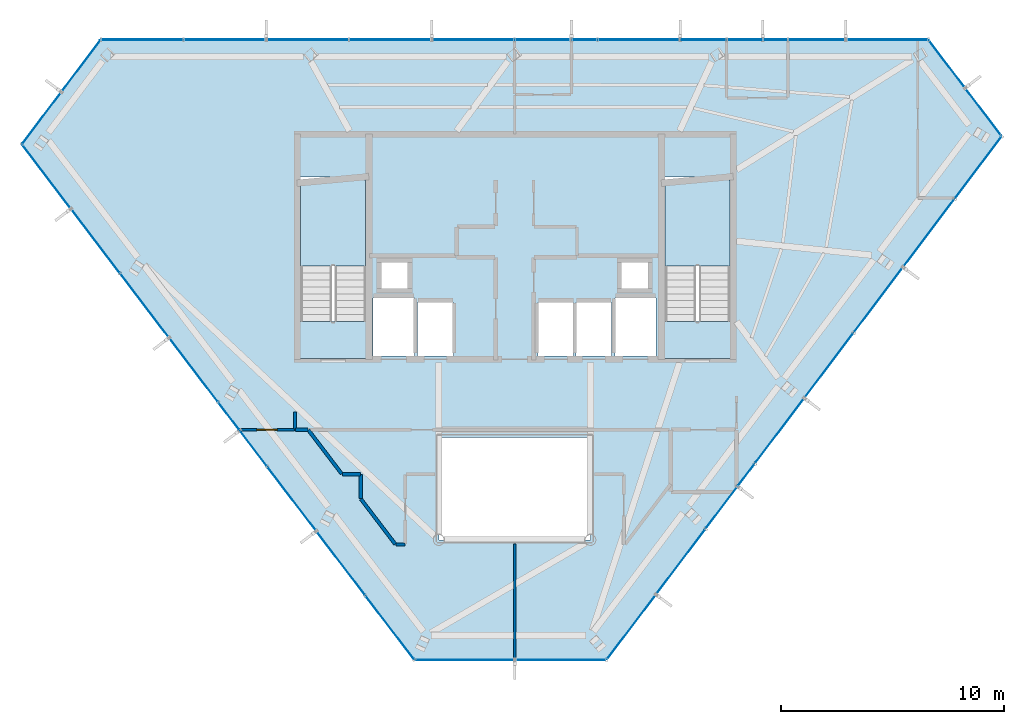
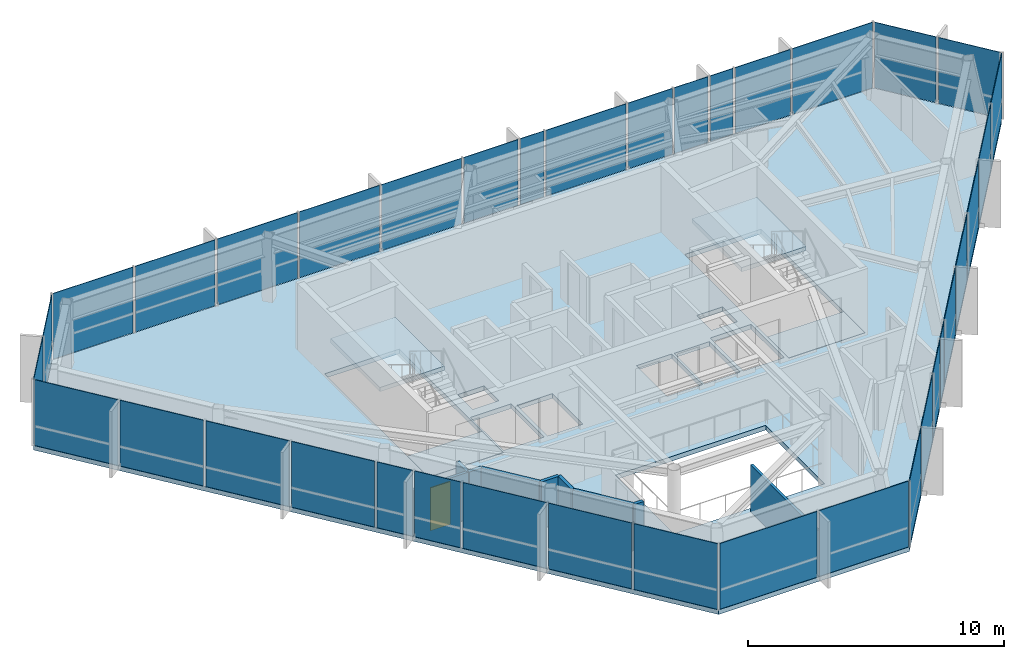
# One storey, part 18 of 21: 37 plates, 9 walls, 5 slabs, 1 door, 1 opening, 8 elements without a shape of their own.
"""IFC4 building model written with IfcOpenShell, lengths in metres."""

from ifc_helpers import new_model, si_unit, direction, frame, frame_2d, origin, origin_2d, place, context, subcontext, project, spatial, polyline, rectangle, outline, extrude, material, layer, layer_set, type_object, element, fill, aggregate, save


model = new_model("IFC4")

# Units and contexts
model_context = context("Model", 3, precision=1e-05, world=origin(), true_north=direction((0.0, 1.0)))
body_context = subcontext(model_context, "Body", "Model", "MODEL_VIEW")
ifc_project = project(units=[si_unit("LENGTHUNIT", "METRE"), si_unit("AREAUNIT", "SQUARE_METRE"), si_unit("VOLUMEUNIT", "CUBIC_METRE"), si_unit("PLANEANGLEUNIT", "RADIAN"), si_unit("MASSUNIT", "GRAM", prefix="KILO")], contexts=[model_context])

# Site, building, storey
site_placement = place(None, origin())
site = spatial("IfcSite", under=ifc_project, at=site_placement, CompositionType="ELEMENT")
building_placement = place(site_placement, origin())
building = spatial("IfcBuilding", under=site, at=building_placement, Name="Zarrinselat Tower", CompositionType="ELEMENT")
storey_placement = place(building_placement, frame((0.0, 0.0, 285.60009765625)))
storey = spatial("IfcBuildingStorey", under=building, at=storey_placement, Name="L73", CompositionType="ELEMENT", Elevation=285.60009765625)

# Curtain wall, plates
ifc_material_1 = material(Name="Extruded Aluminium Alloy EN AW-6063 T6", Category="aluminium")
ifc_layer_1 = layer(ifc_material_1, 0.169921875)
ifc_layer_set_1 = layer_set([ifc_layer_1], Name="Extruded Aluminium Alloy EN AW-6063 T6")
curtain_wall_type_1 = type_object("IfcCurtainWallType", Name="CWS-RES", PredefinedType="NOTDEFINED", material=ifc_layer_set_1)
curtain_wall_1_placement = place(storey_placement, origin())
curtain_wall_1 = element("IfcCurtainWall", 1, at=curtain_wall_1_placement, inside=storey, type_object=curtain_wall_type_1, Name="L73 Unitised Curtain Wall CW-L73-E01", PredefinedType="NOTDEFINED")
ifc_material_2 = material(Name="Double Low-E Laminated Solar Glass", Category="glass")
ifc_layer_2 = layer(ifc_material_2, 0.028076171875)
ifc_layer_set_2 = layer_set([ifc_layer_2], Name="Double Low-E Laminated Solar Glass")
plate_type = type_object("IfcPlateType", Name="PLT-CW-GL28", PredefinedType="CURTAIN_PANEL", material=ifc_layer_set_2)
plate_1_placement = place(storey_placement, frame((55.099853515625, 47.63330078125, 0.02001953125), z_axis=(0.0, 0.0, 1.0), x_axis=(-1.0, 0.0, 0.0)))
plate_1 = element("IfcPlate", 2, at=plate_1_placement, type_object=plate_type, Name="CW-L73-E01 Vision Glass Panel 1", PredefinedType="CURTAIN_PANEL", context=body_context, shape_type="SweptSolid", body=[
    extrude(rectangle(XDim=3.611083984375, YDim=0.028076171875, at=origin_2d()), origin(), (0.0, 0.0, 1.0), 3.139892578125),
])
plate_2_placement = place(storey_placement, frame((51.953369140625, 47.63330078125, 0.02001953125), z_axis=(0.0, 0.0, 1.0), x_axis=(-1.0, 0.0, 0.0)))
plate_2 = element("IfcPlate", 3, at=plate_2_placement, type_object=plate_type, Name="CW-L73-E01 Vision Glass Panel 2", PredefinedType="CURTAIN_PANEL", context=body_context, shape_type="SweptSolid", body=[
    extrude(rectangle(XDim=2.481689453125, YDim=0.028076171875, at=origin_2d()), origin(), (0.0, 0.0, 1.0), 3.139892578125),
])
plate_3_placement = place(storey_placement, frame((50.09765625, 47.63330078125, 0.02001953125), z_axis=(0.0, 0.0, 1.0), x_axis=(-1.0, 0.0, 0.0)))
plate_3 = element("IfcPlate", 4, at=plate_3_placement, type_object=plate_type, Name="CW-L73-E01 Vision Glass Panel 3", PredefinedType="CURTAIN_PANEL", context=body_context, shape_type="SweptSolid", body=[
    extrude(rectangle(XDim=1.029541015625, YDim=0.028076171875, at=origin_2d()), origin(), (0.0, 0.0, 1.0), 3.139892578125),
])
plate_4_placement = place(storey_placement, frame((48.72265625, 47.63330078125, 0.02001953125), z_axis=(0.0, 0.0, 1.0), x_axis=(-1.0, 0.0, 0.0)))
plate_4 = element("IfcPlate", 5, at=plate_4_placement, type_object=plate_type, Name="CW-L73-E01 Vision Glass Panel 4", PredefinedType="CURTAIN_PANEL", context=body_context, shape_type="SweptSolid", body=[
    extrude(rectangle(XDim=1.5205078125, YDim=0.028076171875, at=origin_2d()), origin(), (0.0, 0.0, 1.0), 3.139892578125),
])
plate_5_placement = place(storey_placement, frame((46.8671875, 47.63330078125, 0.02001953125), z_axis=(0.0, 0.0, 1.0), x_axis=(-1.0, 0.0, 0.0)))
plate_5 = element("IfcPlate", 6, at=plate_5_placement, type_object=plate_type, Name="CW-L73-E01 Vision Glass Panel 5", PredefinedType="CURTAIN_PANEL", context=body_context, shape_type="SweptSolid", body=[
    extrude(rectangle(XDim=1.99072265625, YDim=0.028076171875, at=origin_2d()), origin(), (0.0, 0.0, 1.0), 3.139892578125),
])
plate_6_placement = place(storey_placement, frame((43.966064453125, 47.63330078125, 0.02001953125), z_axis=(0.0, 0.0, 1.0), x_axis=(-1.0, 0.0, 0.0)))
plate_6 = element("IfcPlate", 7, at=plate_6_placement, type_object=plate_type, Name="CW-L73-E01 Vision Glass Panel 6", PredefinedType="CURTAIN_PANEL", context=body_context, shape_type="SweptSolid", body=[
    extrude(rectangle(XDim=3.611083984375, YDim=0.028076171875, at=origin_2d()), origin(), (0.0, 0.0, 1.0), 3.139892578125),
])
plate_7_placement = place(storey_placement, frame((41.5302734375, 47.63330078125, 0.02001953125), z_axis=(0.0, 0.0, 1.0), x_axis=(-1.0, 0.0, 0.0)))
plate_7 = element("IfcPlate", 8, at=plate_7_placement, type_object=plate_type, Name="CW-L73-E01 Vision Glass Panel 7", PredefinedType="CURTAIN_PANEL", context=body_context, shape_type="SweptSolid", body=[
    extrude(rectangle(XDim=1.060302734375, YDim=0.028076171875, at=origin_2d()), origin(), (0.0, 0.0, 1.0), 3.139892578125),
])
plate_8_placement = place(storey_placement, frame((39.675048828125, 47.63330078125, 0.02001953125), z_axis=(0.0, 0.0, 1.0), x_axis=(-1.0, 0.0, 0.0)))
plate_8 = element("IfcPlate", 9, at=plate_8_placement, type_object=plate_type, Name="CW-L73-E01 Vision Glass Panel 8", PredefinedType="CURTAIN_PANEL", context=body_context, shape_type="SweptSolid", body=[
    extrude(rectangle(XDim=2.449951171875, YDim=0.028076171875, at=origin_2d()), origin(), (0.0, 0.0, 1.0), 3.139892578125),
])
plate_9_placement = place(storey_placement, frame((36.5439453125, 47.63330078125, 0.02001953125), z_axis=(0.0, 0.0, 1.0), x_axis=(-1.0, 0.0, 0.0)))
plate_9 = element("IfcPlate", 10, at=plate_9_placement, type_object=plate_type, Name="CW-L73-E01 Vision Glass Panel 9", PredefinedType="CURTAIN_PANEL", context=body_context, shape_type="SweptSolid", body=[
    extrude(rectangle(XDim=3.612060546875, YDim=0.028076171875, at=origin_2d()), origin(), (0.0, 0.0, 1.0), 3.139892578125),
])
plate_10_placement = place(storey_placement, frame((32.832275390625, 47.63330078125, 0.02001953125), z_axis=(0.0, 0.0, 1.0), x_axis=(-1.0, 0.0, 0.0)))
plate_10 = element("IfcPlate", 11, at=plate_10_placement, type_object=plate_type, Name="CW-L73-E01 Vision Glass Panel 10", PredefinedType="CURTAIN_PANEL", context=body_context, shape_type="SweptSolid", body=[
    extrude(rectangle(XDim=3.611083984375, YDim=0.028076171875, at=origin_2d()), origin(), (0.0, 0.0, 1.0), 3.139892578125),
])
plate_11_placement = place(storey_placement, frame((29.12109375, 47.63330078125, 0.02001953125), z_axis=(0.0, 0.0, 1.0), x_axis=(-1.0, 0.0, 0.0)))
plate_11 = element("IfcPlate", 12, at=plate_11_placement, type_object=plate_type, Name="CW-L73-E01 Vision Glass Panel 11", PredefinedType="CURTAIN_PANEL", context=body_context, shape_type="SweptSolid", body=[
    extrude(rectangle(XDim=3.611083984375, YDim=0.028076171875, at=origin_2d()), origin(), (0.0, 0.0, 1.0), 3.139892578125),
])
plate_12_placement = place(storey_placement, frame((25.409912109375, 47.63330078125, 0.02001953125), z_axis=(0.0, 0.0, 1.0), x_axis=(-1.0, 0.0, 0.0)))
plate_12 = element("IfcPlate", 13, at=plate_12_placement, type_object=plate_type, Name="CW-L73-E01 Vision Glass Panel 12", PredefinedType="CURTAIN_PANEL", context=body_context, shape_type="SweptSolid", body=[
    extrude(rectangle(XDim=3.611083984375, YDim=0.028076171875, at=origin_2d()), origin(), (0.0, 0.0, 1.0), 3.139892578125),
])
plate_13_placement = place(storey_placement, frame((21.698486328125, 47.63330078125, 0.02001953125), z_axis=(0.0, 0.0, 1.0), x_axis=(-1.0, 0.0, 0.0)))
plate_13 = element("IfcPlate", 14, at=plate_13_placement, type_object=plate_type, Name="CW-L73-E01 Vision Glass Panel 13", PredefinedType="CURTAIN_PANEL", context=body_context, shape_type="SweptSolid", body=[
    extrude(rectangle(XDim=3.611083984375, YDim=0.028076171875, at=origin_2d()), origin(), (0.0, 0.0, 1.0), 3.139892578125),
])
aggregate(curtain_wall_1, [plate_1, plate_2, plate_3, plate_4, plate_5, plate_6, plate_7, plate_8, plate_9, plate_10, plate_11, plate_12, plate_13])

curtain_wall_2_placement = place(storey_placement, origin())
curtain_wall_2 = element("IfcCurtainWall", 15, at=curtain_wall_2_placement, inside=storey, type_object=curtain_wall_type_1, Name="L73 Unitised Curtain Wall CW-L73-E02", PredefinedType="NOTDEFINED")
plate_14_placement = place(storey_placement, frame((18.9580078125, 46.4609375, 0.02001953125), z_axis=(0.0, 0.0, 1.0), x_axis=(-0.602440051683, -0.798164133577, 0.0)))
plate_14 = element("IfcPlate", 16, at=plate_14_placement, type_object=plate_type, Name="CW-L73-E02 Vision Glass Panel 1", PredefinedType="CURTAIN_PANEL", context=body_context, shape_type="SweptSolid", body=[
    extrude(rectangle(XDim=2.837646484375, YDim=0.028076171875, at=origin_2d()), origin(), (0.0, 0.0, 1.0), 3.139892578125),
])
plate_15_placement = place(storey_placement, frame((17.1884765625, 44.1162109375, 0.02001953125), z_axis=(0.0, 0.0, 1.0), x_axis=(-0.602440051683, -0.798164133577, 0.0)))
plate_15 = element("IfcPlate", 17, at=plate_15_placement, type_object=plate_type, Name="CW-L73-E02 Vision Glass Panel 2", PredefinedType="CURTAIN_PANEL", context=body_context, shape_type="SweptSolid", body=[
    extrude(rectangle(XDim=2.837646484375, YDim=0.028076171875, at=origin_2d()), origin(), (0.0, 0.0, 1.0), 3.139892578125),
])
aggregate(curtain_wall_2, [plate_14, plate_15])

curtain_wall_3_placement = place(storey_placement, origin())
curtain_wall_3 = element("IfcCurtainWall", 18, at=curtain_wall_3_placement, inside=storey, type_object=curtain_wall_type_1, Name="L73 Unitised Curtain Wall CW-L73-E03", PredefinedType="NOTDEFINED")
plate_16_placement = place(storey_placement, frame((17.404052734375, 41.498779296875, 0.02001953125), z_axis=(0.0, 0.0, 1.0), x_axis=(0.60576733126, -0.795641841772, 0.0)))
plate_16 = element("IfcPlate", 19, at=plate_16_placement, type_object=plate_type, Name="CW-L73-E03 Vision Glass Panel 1", PredefinedType="CURTAIN_PANEL", context=body_context, shape_type="SweptSolid", body=[
    extrude(rectangle(XDim=3.533203125, YDim=0.028076171875, at=origin_2d()), origin(), (0.0, 0.0, 1.0), 3.139892578125),
])
plate_17_placement = place(storey_placement, frame((19.604736328125, 38.608154296875, 0.02001953125), z_axis=(0.0, 0.0, 1.0), x_axis=(0.60576733126, -0.795641841772, 0.0)))
plate_17 = element("IfcPlate", 20, at=plate_17_placement, type_object=plate_type, Name="CW-L73-E03 Vision Glass Panel 2", PredefinedType="CURTAIN_PANEL", context=body_context, shape_type="SweptSolid", body=[
    extrude(rectangle(XDim=3.533203125, YDim=0.028076171875, at=origin_2d()), origin(), (0.0, 0.0, 1.0), 3.139892578125),
])
plate_18_placement = place(storey_placement, frame((21.8056640625, 35.717529296875, 0.02001953125), z_axis=(0.0, 0.0, 1.0), x_axis=(0.60576733126, -0.795641841772, 0.0)))
plate_18 = element("IfcPlate", 21, at=plate_18_placement, type_object=plate_type, Name="CW-L73-E03 Vision Glass Panel 3", PredefinedType="CURTAIN_PANEL", context=body_context, shape_type="SweptSolid", body=[
    extrude(rectangle(XDim=3.533203125, YDim=0.028076171875, at=origin_2d()), origin(), (0.0, 0.0, 1.0), 3.139892578125),
])
plate_19_placement = place(storey_placement, frame((24.00634765625, 32.826904296875, 0.02001953125), z_axis=(0.0, 0.0, 1.0), x_axis=(0.60576733126, -0.795641841772, 0.0)))
plate_19 = element("IfcPlate", 22, at=plate_19_placement, type_object=plate_type, Name="CW-L73-E03 Vision Glass Panel 4", PredefinedType="CURTAIN_PANEL", context=body_context, shape_type="SweptSolid", body=[
    extrude(rectangle(XDim=3.533203125, YDim=0.028076171875, at=origin_2d()), origin(), (0.0, 0.0, 1.0), 3.139892578125),
])
plate_20_placement = place(storey_placement, frame((25.58935546875, 30.74755859375, 0.02001953125), z_axis=(0.0, 0.0, 1.0), x_axis=(0.60576733126, -0.795641841772, 0.0)))
plate_20 = element("IfcPlate", 23, at=plate_20_placement, type_object=plate_type, Name="CW-L73-E03 Vision Glass Panel 5", PredefinedType="CURTAIN_PANEL", context=body_context, shape_type="SweptSolid", body=[
    extrude(rectangle(XDim=1.493408203125, YDim=0.028076171875, at=origin_2d()), origin(), (0.0, 0.0, 1.0), 3.139892578125),
])
plate_21_placement = place(storey_placement, frame((26.689697265625, 29.30224609375, 0.02001953125), z_axis=(0.0, 0.0, 1.0), x_axis=(0.60576733126, -0.795641841772, 0.0)))
plate_21 = element("IfcPlate", 24, at=plate_21_placement, type_object=plate_type, Name="CW-L73-E03 Vision Glass Panel 6", PredefinedType="CURTAIN_PANEL", context=body_context, shape_type="SweptSolid", body=[
    extrude(rectangle(XDim=1.939453125, YDim=0.028076171875, at=origin_2d()), origin(), (0.0, 0.0, 1.0), 3.139892578125),
])
plate_22_placement = place(storey_placement, frame((28.407958984375, 27.045654296875, 0.02001953125), z_axis=(0.0, 0.0, 1.0), x_axis=(0.60576733126, -0.795641841772, 0.0)))
plate_22 = element("IfcPlate", 25, at=plate_22_placement, type_object=plate_type, Name="CW-L73-E03 Vision Glass Panel 7", PredefinedType="CURTAIN_PANEL", context=body_context, shape_type="SweptSolid", body=[
    extrude(rectangle(XDim=3.533203125, YDim=0.028076171875, at=origin_2d()), origin(), (0.0, 0.0, 1.0), 3.139892578125),
])
plate_23_placement = place(storey_placement, frame((30.608642578125, 24.155029296875, 0.02001953125), z_axis=(0.0, 0.0, 1.0), x_axis=(0.60576733126, -0.795641841772, 0.0)))
plate_23 = element("IfcPlate", 26, at=plate_23_placement, type_object=plate_type, Name="CW-L73-E03 Vision Glass Panel 8", PredefinedType="CURTAIN_PANEL", context=body_context, shape_type="SweptSolid", body=[
    extrude(rectangle(XDim=3.533203125, YDim=0.028076171875, at=origin_2d()), origin(), (0.0, 0.0, 1.0), 3.139892578125),
])
plate_24_placement = place(storey_placement, frame((32.8095703125, 21.264404296875, 0.02001953125), z_axis=(0.0, 0.0, 1.0), x_axis=(0.60576733126, -0.795641841772, 0.0)))
plate_24 = element("IfcPlate", 27, at=plate_24_placement, type_object=plate_type, Name="CW-L73-E03 Vision Glass Panel 9", PredefinedType="CURTAIN_PANEL", context=body_context, shape_type="SweptSolid", body=[
    extrude(rectangle(XDim=3.533203125, YDim=0.028076171875, at=origin_2d()), origin(), (0.0, 0.0, 1.0), 3.139892578125),
])
aggregate(curtain_wall_3, [plate_16, plate_17, plate_18, plate_19, plate_20, plate_21, plate_22, plate_23, plate_24])

curtain_wall_4_placement = place(storey_placement, origin())
curtain_wall_4 = element("IfcCurtainWall", 28, at=curtain_wall_4_placement, inside=storey, type_object=curtain_wall_type_1, Name="L73 Unitised Curtain Wall CW-L73-E04", PredefinedType="NOTDEFINED")
plate_25_placement = place(storey_placement, frame((36.15478515625, 19.819091796875, 0.02001953125), z_axis=(0.0, 0.0, 1.0), x_axis=(1.0, 0.0, 0.0)))
plate_25 = element("IfcPlate", 29, at=plate_25_placement, type_object=plate_type, Name="CW-L73-E04 Vision Glass Panel 1", PredefinedType="CURTAIN_PANEL", context=body_context, shape_type="SweptSolid", body=[
    extrude(rectangle(XDim=4.39013671875, YDim=0.028076171875, at=origin_2d()), origin(), (0.0, 0.0, 1.0), 3.139892578125),
])
plate_26_placement = place(storey_placement, frame((40.46142578125, 19.819091796875, 0.02001953125), z_axis=(0.0, 0.0, 1.0), x_axis=(1.0, 0.0, 0.0)))
plate_26 = element("IfcPlate", 30, at=plate_26_placement, type_object=plate_type, Name="CW-L73-E04 Vision Glass Panel 2", PredefinedType="CURTAIN_PANEL", context=body_context, shape_type="SweptSolid", body=[
    extrude(rectangle(XDim=4.022705078125, YDim=0.028076171875, at=origin_2d()), origin(), (0.0, 0.0, 1.0), 3.139892578125),
])
aggregate(curtain_wall_4, [plate_25, plate_26])

ifc_material_3 = material(Name="Extruded Aluminium Alloy EN AW-6063 T6", Category="aluminium")
ifc_layer_3 = layer(ifc_material_3, 0.199951171875)
ifc_layer_set_3 = layer_set([ifc_layer_3], Name="Extruded Aluminium Alloy EN AW-6063 T6")
curtain_wall_type_2 = type_object("IfcCurtainWallType", Name="CWS-BLADE", PredefinedType="NOTDEFINED", material=ifc_layer_set_3)
curtain_wall_5_placement = place(storey_placement, origin())
curtain_wall_5 = element("IfcCurtainWall", 31, at=curtain_wall_5_placement, inside=storey, type_object=curtain_wall_type_2, Name="L73 Unitised Curtain Wall CW-L73-E05", PredefinedType="NOTDEFINED")
plate_27_placement = place(storey_placement, frame((43.630859375, 21.287109375, 0.02001953125), z_axis=(0.0, 0.0, 1.0), x_axis=(0.602445101176, 0.798160322284, 0.0)))
plate_27 = element("IfcPlate", 32, at=plate_27_placement, type_object=plate_type, Name="CW-L73-E05 Vision Glass Panel 1", PredefinedType="CURTAIN_PANEL", context=body_context, shape_type="SweptSolid", body=[
    extrude(rectangle(XDim=3.578125, YDim=0.028076171875, at=origin_2d()), origin(), (0.0, 0.0, 1.0), 3.139892578125),
])
plate_28_placement = place(storey_placement, frame((45.8466796875, 24.222900390625, 0.02001953125), z_axis=(0.0, 0.0, 1.0), x_axis=(0.602445101176, 0.798160322284, 0.0)))
plate_28 = element("IfcPlate", 33, at=plate_28_placement, type_object=plate_type, Name="CW-L73-E05 Vision Glass Panel 2", PredefinedType="CURTAIN_PANEL", context=body_context, shape_type="SweptSolid", body=[
    extrude(rectangle(XDim=3.578125, YDim=0.028076171875, at=origin_2d()), origin(), (0.0, 0.0, 1.0), 3.139892578125),
])
plate_29_placement = place(storey_placement, frame((47.67626953125, 26.646728515625, 0.02001953125), z_axis=(0.0, 0.0, 1.0), x_axis=(0.602445101176, 0.798160322284, 0.0)))
plate_29 = element("IfcPlate", 34, at=plate_29_placement, type_object=plate_type, Name="CW-L73-E05 Vision Glass Panel 3", PredefinedType="CURTAIN_PANEL", context=body_context, shape_type="SweptSolid", body=[
    extrude(rectangle(XDim=2.295654296875, YDim=0.028076171875, at=origin_2d()), origin(), (0.0, 0.0, 1.0), 3.139892578125),
])
plate_30_placement = place(storey_placement, frame((48.7841796875, 28.11474609375, 0.02001953125), z_axis=(0.0, 0.0, 1.0), x_axis=(0.602445101176, 0.798160322284, 0.0)))
plate_30 = element("IfcPlate", 35, at=plate_30_placement, type_object=plate_type, Name="CW-L73-E05 Vision Glass Panel 4", PredefinedType="CURTAIN_PANEL", context=body_context, shape_type="SweptSolid", body=[
    extrude(rectangle(XDim=1.1826171875, YDim=0.028076171875, at=origin_2d()), origin(), (0.0, 0.0, 1.0), 3.139892578125),
])
plate_31_placement = place(storey_placement, frame((50.278564453125, 30.094482421875, 0.02001953125), z_axis=(0.0, 0.0, 1.0), x_axis=(0.602445101176, 0.798160322284, 0.0)))
plate_31 = element("IfcPlate", 36, at=plate_31_placement, type_object=plate_type, Name="CW-L73-E05 Vision Glass Panel 5", PredefinedType="CURTAIN_PANEL", context=body_context, shape_type="SweptSolid", body=[
    extrude(rectangle(XDim=3.578125, YDim=0.028076171875, at=origin_2d()), origin(), (0.0, 0.0, 1.0), 3.139892578125),
])
plate_32_placement = place(storey_placement, frame((52.494384765625, 33.0302734375, 0.02001953125), z_axis=(0.0, 0.0, 1.0), x_axis=(0.602445101176, 0.798160322284, 0.0)))
plate_32 = element("IfcPlate", 37, at=plate_32_placement, type_object=plate_type, Name="CW-L73-E05 Vision Glass Panel 6", PredefinedType="CURTAIN_PANEL", context=body_context, shape_type="SweptSolid", body=[
    extrude(rectangle(XDim=3.578125, YDim=0.028076171875, at=origin_2d()), origin(), (0.0, 0.0, 1.0), 3.139892578125),
])
plate_33_placement = place(storey_placement, frame((54.71044921875, 35.966064453125, 0.02001953125), z_axis=(0.0, 0.0, 1.0), x_axis=(0.602445101176, 0.798160322284, 0.0)))
plate_33 = element("IfcPlate", 38, at=plate_33_placement, type_object=plate_type, Name="CW-L73-E05 Vision Glass Panel 7", PredefinedType="CURTAIN_PANEL", context=body_context, shape_type="SweptSolid", body=[
    extrude(rectangle(XDim=3.578125, YDim=0.028076171875, at=origin_2d()), origin(), (0.0, 0.0, 1.0), 3.139892578125),
])
plate_34_placement = place(storey_placement, frame((56.97509765625, 38.966552734375, 0.02001953125), z_axis=(0.0, 0.0, 1.0), x_axis=(0.602445101176, 0.798160322284, 0.0)))
plate_34 = element("IfcPlate", 39, at=plate_34_placement, type_object=plate_type, Name="CW-L73-E05 Vision Glass Panel 8", PredefinedType="CURTAIN_PANEL", context=body_context, shape_type="SweptSolid", body=[
    extrude(rectangle(XDim=3.739990234375, YDim=0.028076171875, at=origin_2d()), origin(), (0.0, 0.0, 1.0), 3.139892578125),
])
plate_35_placement = place(storey_placement, frame((59.19091796875, 41.90234375, 0.02001953125), z_axis=(0.0, 0.0, 1.0), x_axis=(0.602445101176, 0.798160322284, 0.0)))
plate_35 = element("IfcPlate", 40, at=plate_35_placement, type_object=plate_type, Name="CW-L73-E05 Vision Glass Panel 9", PredefinedType="CURTAIN_PANEL", context=body_context, shape_type="SweptSolid", body=[
    extrude(rectangle(XDim=3.41650390625, YDim=0.028076171875, at=origin_2d()), origin(), (0.0, 0.0, 1.0), 3.139892578125),
])
aggregate(curtain_wall_5, [plate_27, plate_28, plate_29, plate_30, plate_31, plate_32, plate_33, plate_34, plate_35])

curtain_wall_6_placement = place(storey_placement, origin())
curtain_wall_6 = element("IfcCurtainWall", 41, at=curtain_wall_6_placement, inside=storey, type_object=curtain_wall_type_1, Name="L73 Unitised Curtain Wall CW-L73-E06", PredefinedType="NOTDEFINED")
plate_36_placement = place(storey_placement, frame((59.426513671875, 44.3876953125, 0.02001953125), z_axis=(0.0, 0.0, 1.0), x_axis=(-0.605773416753, 0.795637208503, 0.0)))
plate_36 = element("IfcPlate", 42, at=plate_36_placement, type_object=plate_type, Name="CW-L73-E06 Vision Glass Panel 1", PredefinedType="CURTAIN_PANEL", context=body_context, shape_type="SweptSolid", body=[
    extrude(rectangle(XDim=2.61962890625, YDim=0.028076171875, at=origin_2d()), origin(), (0.0, 0.0, 1.0), 3.139892578125),
])
plate_37_placement = place(storey_placement, frame((57.779052734375, 46.551513671875, 0.02001953125), z_axis=(0.0, 0.0, 1.0), x_axis=(-0.605773416753, 0.795637208503, 0.0)))
plate_37 = element("IfcPlate", 43, at=plate_37_placement, type_object=plate_type, Name="CW-L73-E06 Vision Glass Panel 2", PredefinedType="CURTAIN_PANEL", context=body_context, shape_type="SweptSolid", body=[
    extrude(rectangle(XDim=2.61962890625, YDim=0.028076171875, at=origin_2d()), origin(), (0.0, 0.0, 1.0), 3.139892578125),
])
aggregate(curtain_wall_6, [plate_36, plate_37])

# Slabs
ifc_material_4 = material(Name="Concrete C40/50", Category="concrete")
ifc_layer_4 = layer(ifc_material_4, 0.219970703125)
ifc_layer_set_4 = layer_set([ifc_layer_4], Name="Concrete C40/50")
slab_type_1 = type_object("IfcSlabType", Name="SLB-FLOOR-220-SL-RS220", PredefinedType="FLOOR", material=ifc_layer_set_4)
slab_1_placement = place(storey_placement, frame((0.0, 0.0, -0.22021484375)))
element("IfcSlab", 44, at=slab_1_placement, inside=storey, type_object=slab_type_1, Name="L73 Primary Structural Slab", PredefinedType="FLOOR", context=body_context, shape_type="SweptSolid", body=[
    extrude(outline(polyline([(56.955322265625, 47.63330078125), (19.843017578125, 47.63330078125), (16.3037109375, 42.944091796875), (33.909912109375, 19.819091796875), (42.522705078125, 19.819091796875), (60.250244140625, 43.3056640625), (56.955322265625, 47.63330078125)]), holes=[polyline([(41.800048828125, 25.199951171875), (35.0, 25.199951171875), (35.0, 29.800048828125), (41.800048828125, 29.800048828125), (41.800048828125, 25.199951171875)]), polyline([(35.64990234375, 33.449951171875), (34.050048828125, 33.449951171875), (34.050048828125, 35.85009765625), (35.64990234375, 35.85009765625), (35.64990234375, 33.449951171875)]), polyline([(41.050048828125, 33.449951171875), (39.449951171875, 33.449951171875), (39.449951171875, 35.85009765625), (41.050048828125, 35.85009765625), (41.050048828125, 33.449951171875)]), polyline([(41.14990234375, 33.449951171875), (41.14990234375, 35.85009765625), (42.75, 35.85009765625), (42.75, 33.449951171875), (41.14990234375, 33.449951171875)]), polyline([(32.06005859375, 33.449951171875), (32.06005859375, 36.050048828125), (33.89990234375, 36.050048828125), (33.89990234375, 33.449951171875), (32.06005859375, 33.449951171875)]), polyline([(44.739990234375, 33.449951171875), (42.89990234375, 33.449951171875), (42.89990234375, 36.050048828125), (44.739990234375, 36.050048828125), (44.739990234375, 33.449951171875)]), polyline([(33.60009765625, 36.47998046875), (32.419921875, 36.47998046875), (32.419921875, 37.639892578125), (33.60009765625, 37.639892578125), (33.60009765625, 36.47998046875)]), polyline([(44.3798828125, 36.47998046875), (43.199951171875, 36.47998046875), (43.199951171875, 37.639892578125), (44.3798828125, 37.639892578125), (44.3798828125, 36.47998046875)]), polyline([(31.985107421875, 33.324951171875), (28.60498046875, 33.324951171875), (28.60498046875, 41.47509765625), (31.985107421875, 41.47509765625), (31.985107421875, 33.324951171875)]), polyline([(48.324951171875, 33.324951171875), (44.875, 33.324951171875), (44.875, 41.47509765625), (48.324951171875, 41.47509765625), (48.324951171875, 33.324951171875)])]), origin(), (0.0, 0.0, 1.0), 0.22021484375),
])
slab_2_placement = place(storey_placement, frame((0.0, 0.0, -0.22021484375)))
element("IfcSlab", 45, at=slab_2_placement, inside=storey, type_object=slab_type_1, Name="L73 Stair ST-1-FL1 Structural Floor Landing", PredefinedType="FLOOR", context=body_context, shape_type="SweptSolid", body=[
    extrude(outline(polyline([(31.97998046875, 33.330078125), (31.97998046875, 35.0), (28.610107421875, 35.0), (28.610107421875, 33.330078125), (31.97998046875, 33.330078125)])), origin(), (0.0, 0.0, 1.0), 0.22021484375),
])
slab_3_placement = place(storey_placement, frame((0.0, 0.0, -0.22021484375)))
element("IfcSlab", 46, at=slab_3_placement, inside=storey, type_object=slab_type_1, Name="L73 Stair ST-2-FL1 Structural Floor Landing", PredefinedType="FLOOR", context=body_context, shape_type="SweptSolid", body=[
    extrude(outline(polyline([(48.320068359375, 33.330078125), (48.320068359375, 35.0), (44.8798828125, 35.0), (44.8798828125, 33.330078125), (48.320068359375, 33.330078125)])), origin(), (0.0, 0.0, 1.0), 0.22021484375),
])

# Stair, slab
ifc_material_5 = material(Name="Concrete C40/50", Category="concrete")
stair_type = type_object("IfcStairType", Name="STR-CORE-155", PredefinedType="HALF_TURN_STAIR", material=ifc_material_5)
stair_1_placement = place(storey_placement, origin())
stair_1 = element("IfcStair", 47, at=stair_1_placement, inside=storey, type_object=stair_type, Name="L73 Core Exit Stair 1", PredefinedType="HALF_TURN_STAIR")
ifc_material_6 = material(Name="Concrete C40/50", Category="concrete")
ifc_layer_5 = layer(ifc_material_6, 0.18994140625)
ifc_layer_set_5 = layer_set([ifc_layer_5], Name="Concrete C40/50")
slab_type_2 = type_object("IfcSlabType", Name="SLB-LND-190", PredefinedType="LANDING", material=ifc_layer_set_5)
slab_4_placement = place(storey_placement, frame((0.0, 0.0, 1.5)))
slab_4 = element("IfcSlab", 48, at=slab_4_placement, type_object=slab_type_2, Name="ST-1 landing 1", PredefinedType="LANDING", context=body_context, shape_type="SweptSolid", body=[
    extrude(outline(polyline([(31.719970703125, 37.47998046875), (31.719970703125, 41.35009765625), (28.800048828125, 41.35009765625), (28.800048828125, 37.47998046875), (31.719970703125, 37.47998046875)])), origin(), (0.0, 0.0, 1.0), 0.199951171875),
])
aggregate(stair_1, [slab_4])

stair_2_placement = place(storey_placement, origin())
stair_2 = element("IfcStair", 49, at=stair_2_placement, inside=storey, type_object=stair_type, Name="L73 Core Exit Stair 2", PredefinedType="HALF_TURN_STAIR")
slab_5_placement = place(storey_placement, frame((0.0, 0.0, 1.5)))
slab_5 = element("IfcSlab", 50, at=slab_5_placement, type_object=slab_type_2, Name="ST-2 landing 1", PredefinedType="LANDING", context=body_context, shape_type="SweptSolid", body=[
    extrude(outline(polyline([(48.06005859375, 37.47998046875), (48.06005859375, 41.35009765625), (45.139892578125, 41.35009765625), (45.139892578125, 37.47998046875), (48.06005859375, 37.47998046875)])), origin(), (0.0, 0.0, 1.0), 0.199951171875),
])
aggregate(stair_2, [slab_5])

# Walls
ifc_material_7 = material(Name="Fire-Rated Gypsum Board Partition", Category="gypsum")
ifc_layer_6 = layer(ifc_material_7, 0.14990234375)
ifc_layer_set_6 = layer_set([ifc_layer_6], Name="Fire-Rated Gypsum Board Partition")
wall_type_1 = type_object("IfcWallType", Name="WAL-PART-EI60", PredefinedType="PARTITIONING", material=ifc_layer_set_6)
wall_1_placement = place(storey_placement, frame((28.570068359375, 30.14990234375, 0.0), z_axis=(0.0, 0.0, 1.0), x_axis=(1.0, 0.0, 0.0)))
element("IfcWall", 51, at=wall_1_placement, inside=storey, type_object=wall_type_1, Name="L73 Partition Wall 15", PredefinedType="PARTITIONING", context=body_context, shape_type="SweptSolid", body=[
    extrude(rectangle(XDim=0.56494140625, YDim=0.14990234375, at=frame_2d((0.282470703125, 0.0))), origin(), (0.0, 0.0, 1.0), 2.23486328125),
])
wall_2_placement = place(storey_placement, frame((28.550048828125, 30.169921875, 0.0), z_axis=(0.0, 0.0, 1.0), x_axis=(0.0, 1.0, 0.0)))
element("IfcWall", 52, at=wall_2_placement, inside=storey, type_object=wall_type_1, Name="L73 Partition Wall 17", PredefinedType="PARTITIONING", context=body_context, shape_type="SweptSolid", body=[
    extrude(rectangle(XDim=0.77490234375, YDim=0.14990234375, at=frame_2d((0.387451171875, 0.0))), origin(), (0.0, 0.0, 1.0), 2.23486328125),
])
wall_3_placement = place(storey_placement, frame((33.0771484375, 25.0, 0.0), z_axis=(0.0, 0.0, 1.0), x_axis=(1.0, 0.0, 0.0)))
element("IfcWall", 53, at=wall_3_placement, inside=storey, type_object=wall_type_1, Name="L73 Partition Wall 26", PredefinedType="PARTITIONING", context=body_context, shape_type="SweptSolid", body=[
    extrude(rectangle(XDim=0.40283203125, YDim=0.14990234375, at=frame_2d((0.201416015625, 0.0))), origin(), (0.0, 0.0, 1.0), 2.23486328125),
])
wall_4_placement = place(storey_placement, frame((31.51220703125, 27.029296875, 0.0), z_axis=(0.0, 0.0, 1.0), x_axis=(0.60577285366, -0.795637637225, 0.0)))
element("IfcWall", 54, at=wall_4_placement, inside=storey, type_object=wall_type_1, Name="L73 Partition Wall 27", PredefinedType="PARTITIONING", context=body_context, shape_type="SweptSolid", body=[
    extrude(rectangle(XDim=2.530517578125, YDim=0.14990234375, at=frame_2d((1.26513671875, 0.0))), origin(), (0.0, 0.0, 1.0), 2.23486328125),
])
wall_5_placement = place(storey_placement, frame((31.5, 27.065185546875, 0.0), z_axis=(0.0, 0.0, 1.0), x_axis=(0.0, 1.0, 0.0)))
element("IfcWall", 55, at=wall_5_placement, inside=storey, type_object=wall_type_1, Name="L73 Partition Wall 28", PredefinedType="PARTITIONING", context=body_context, shape_type="SweptSolid", body=[
    extrude(rectangle(XDim=1.064697265625, YDim=0.14990234375, at=frame_2d((0.5322265625, 0.0))), origin(), (0.0, 0.0, 1.0), 2.23486328125),
])
wall_6_placement = place(storey_placement, frame((30.678955078125, 28.14990234375, 0.0), z_axis=(0.0, 0.0, 1.0), x_axis=(1.0, 0.0, 0.0)))
element("IfcWall", 56, at=wall_6_placement, inside=storey, type_object=wall_type_1, Name="L73 Partition Wall 29", PredefinedType="PARTITIONING", context=body_context, shape_type="SweptSolid", body=[
    extrude(rectangle(XDim=0.801025390625, YDim=0.14990234375, at=frame_2d((0.400390625, 0.0))), origin(), (0.0, 0.0, 1.0), 2.23486328125),
])
wall_7_placement = place(storey_placement, frame((29.148193359375, 30.134033203125, 0.0), z_axis=(0.0, 0.0, 1.0), x_axis=(0.605873710815, -0.795560837739, 0.0)))
element("IfcWall", 57, at=wall_7_placement, inside=storey, type_object=wall_type_1, Name="L73 Partition Wall 30", PredefinedType="PARTITIONING", context=body_context, shape_type="SweptSolid", body=[
    extrude(rectangle(XDim=2.4736328125, YDim=0.14990234375, at=frame_2d((1.23681640625, 0.0))), origin(), (0.0, 0.0, 1.0), 2.23486328125),
])
ifc_material_8 = material(Name="Fire-Rated Gypsum Board Partition", Category="gypsum")
ifc_layer_7 = layer(ifc_material_8, 0.1201171875)
ifc_layer_set_7 = layer_set([ifc_layer_7], Name="Fire-Rated Gypsum Board Partition")
wall_type_2 = type_object("IfcWallType", Name="WAL-PART-STD", PredefinedType="PARTITIONING", material=ifc_layer_set_7)
wall_8_placement = place(storey_placement, frame((38.39990234375, 19.833984375, 0.0), z_axis=(0.0, 0.0, 1.0), x_axis=(0.0, 1.0, 0.0)))
element("IfcWall", 58, at=wall_8_placement, inside=storey, type_object=wall_type_2, Name="L73 Partition Wall 31", PredefinedType="PARTITIONING", context=body_context, shape_type="SweptSolid", body=[
    extrude(rectangle(XDim=5.18603515625, YDim=0.1201171875, at=frame_2d((2.593017578125, 0.0))), origin(), (0.0, 0.0, 1.0), 2.23486328125),
])

# Wall, opening, door
wall_9_placement = place(storey_placement, frame((26.059326171875, 30.14990234375, 0.0), z_axis=(0.0, 0.0, 1.0), x_axis=(1.0, 0.0, 0.0)))
wall_9 = element("IfcWall", 59, at=wall_9_placement, inside=storey, type_object=wall_type_2, Name="L73 Partition Wall 32", PredefinedType="PARTITIONING", context=body_context, shape_type="SweptSolid", body=[
    extrude(rectangle(XDim=2.470703125, YDim=0.1201171875, at=frame_2d((1.2353515625, 0.0))), origin(), (0.0, 0.0, 1.0), 2.23486328125),
])
opening_placement = place(wall_9_placement, frame((0.785400390625, 0.0, 0.0)))
opening = element("IfcOpeningElement", 60, at=opening_placement, cuts=wall_9, Name="Opening ID-05", PredefinedType="OPENING", context=body_context, shape_type="SweptSolid", body=[
    extrude(rectangle(XDim=0.89990234375, YDim=2.050048828125, at=frame_2d((0.449951171875, 1.02490234375))), frame((0.0, 0.070068359375, 0.0), z_axis=(0.0, -1.0, 0.0), x_axis=(1.0, 0.0, 0.0)), (0.0, 0.0, 1.0), 0.14013671875),
])
ifc_material_9 = material(Name="Extruded Aluminium Alloy EN AW-6063 T6", Category="aluminium")
door_type = type_object("IfcDoorType", Name="DR-INT-STD-920", OperationType="NOTDEFINED", PredefinedType="DOOR", material=ifc_material_9)
door_placement = place(opening_placement, origin())
door = element("IfcDoor", 61, at=door_placement, inside=storey, type_object=door_type, Name="L73 Interior Door P32", OperationType="SINGLE_SWING_RIGHT", OverallHeight=2.050048828125, OverallWidth=0.89990234375, PredefinedType="DOOR", context=body_context, shape_type="SweptSolid", body=[
    extrude(rectangle(XDim=0.89990234375, YDim=2.050048828125, at=frame_2d((0.449951171875, 1.02490234375))), frame((0.0, 0.02490234375, 0.0), z_axis=(0.0, -1.0, 0.0), x_axis=(1.0, 0.0, 0.0)), (0.0, 0.0, 1.0), 0.050048828125),
])
fill(opening, door)

save(model, "model.ifc")
